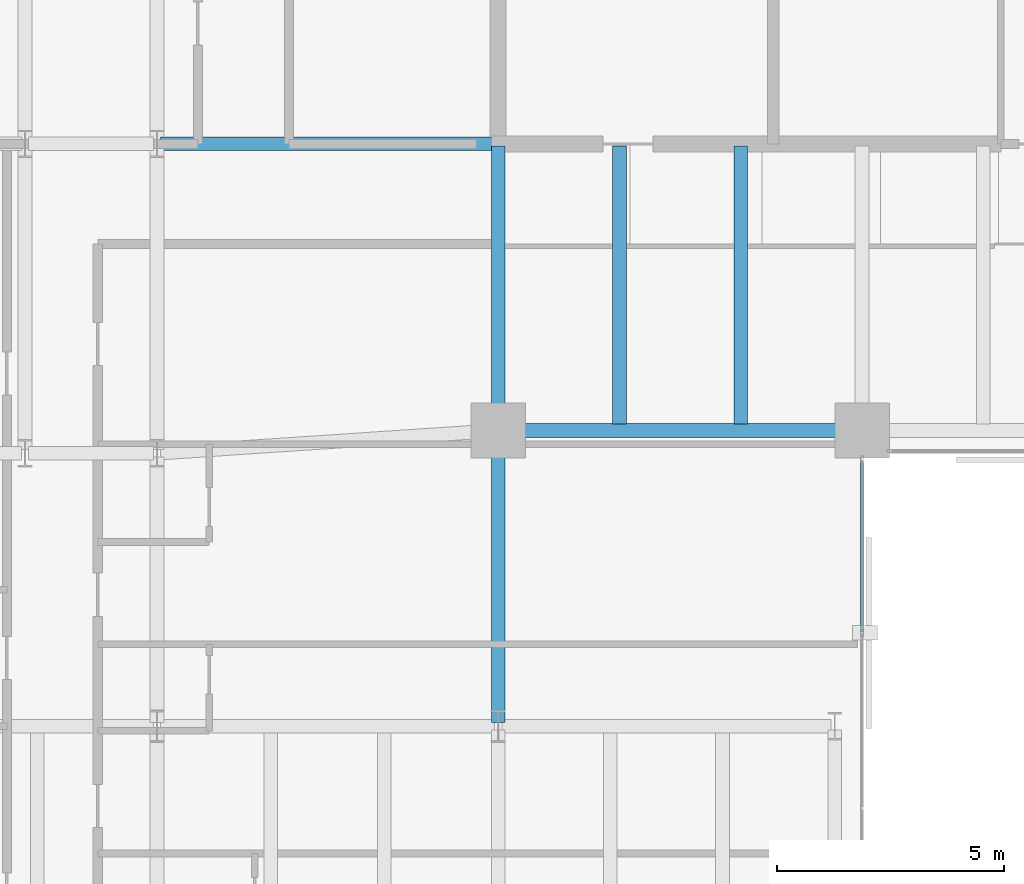
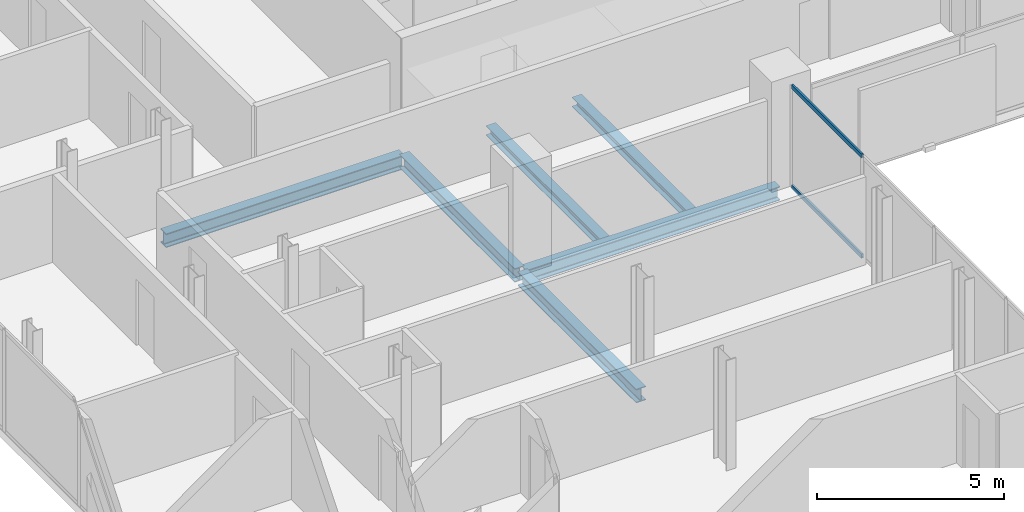
# One storey, part 12 of 32: 6 beams, 2 members, 1 element without a shape of its own.
"""IFC4 building model written with IfcOpenShell, lengths in metres."""

from ifc_helpers import new_model, si_unit, direction, frame, origin, origin_2d, place, context, subcontext, project, spatial, hollow_rectangle, i_section, extrude, material, layer, layer_set, material_profile, profile_set, type_object, element, aggregate, save


model = new_model("IFC4")

# Units and contexts
model_context = context("Model", 3, precision=1e-05, world=origin(), true_north=direction((0.0, 1.0)))
body_context = subcontext(model_context, "Body", "Model", "MODEL_VIEW")
ifc_project = project(units=[si_unit("LENGTHUNIT", "METRE"), si_unit("AREAUNIT", "SQUARE_METRE"), si_unit("VOLUMEUNIT", "CUBIC_METRE"), si_unit("PLANEANGLEUNIT", "RADIAN"), si_unit("MASSUNIT", "GRAM", prefix="KILO")], contexts=[model_context])

# Site, building, storey
site_placement = place(None, origin())
site = spatial("IfcSite", under=ifc_project, at=site_placement, CompositionType="ELEMENT")
building_placement = place(site_placement, origin())
building = spatial("IfcBuilding", under=site, at=building_placement, Name="Catumbela Crestline Tower", CompositionType="ELEMENT")
storey_placement = place(building_placement, frame((0.0, 0.0, 129.6)))
storey = spatial("IfcBuildingStorey", under=building, at=storey_placement, Name="L33", CompositionType="ELEMENT", Elevation=129.6)

# Beams
ifc_material_1 = material(Name="Structural steel S355J2", Category="steel")
ifc_material_profile_1 = material_profile(ifc_material_1, i_section(OverallWidth=0.3, OverallDepth=0.45, WebThickness=0.014, FlangeThickness=0.026, FilletRadius=0.027, at=origin_2d()), Name="HEB 450")
ifc_profile_set_1 = profile_set([ifc_material_profile_1], Name="Structural steel S355J2")
beam_type_1 = type_object("IfcBeamType", Name="BG-HEB450", PredefinedType="BEAM", material=ifc_profile_set_1)
beam_1_placement = place(storey_placement, frame((16.08, 24.5, -0.485), z_axis=(1.0, 0.0, 0.0), x_axis=(0.0, 1.0, 0.0)))
element("IfcBeam", 1, at=beam_1_placement, inside=storey, type_object=beam_type_1, Name="L33 Beam BM-L33-S04", PredefinedType="BEAM", context=body_context, shape_type="SweptSolid", body=[
    extrude(i_section(OverallWidth=0.3, OverallDepth=0.45, WebThickness=0.014, FlangeThickness=0.026, FilletRadius=0.027, at=origin_2d()), origin(), (0.0, 0.0, 1.0), 7.84),
])
beam_2_placement = place(storey_placement, frame((8.58, 30.8, -0.485), z_axis=(1.0, 0.0, 0.0), x_axis=(0.0, 1.0, 0.0)))
element("IfcBeam", 2, at=beam_2_placement, inside=storey, type_object=beam_type_1, Name="L33 Beam BM-L33-M09", PredefinedType="BEAM", context=body_context, shape_type="SweptSolid", body=[
    extrude(i_section(OverallWidth=0.3, OverallDepth=0.45, WebThickness=0.014, FlangeThickness=0.026, FilletRadius=0.027, at=origin_2d()), origin(), (0.0, 0.0, 1.0), 7.37),
])
beam_3_placement = place(storey_placement, frame((16.0, 24.58, -0.485), z_axis=(0.0, 1.0, 0.0), x_axis=(-1.0, 0.0, 0.0)))
element("IfcBeam", 3, at=beam_3_placement, inside=storey, type_object=beam_type_1, Name="L33 Beam BM-L33-SNS28", PredefinedType="BEAM", context=body_context, shape_type="SweptSolid", body=[
    extrude(i_section(OverallWidth=0.3, OverallDepth=0.45, WebThickness=0.014, FlangeThickness=0.026, FilletRadius=0.027, at=origin_2d()), origin(), (0.0, 0.0, 1.0), 6.17),
])
beam_4_placement = place(storey_placement, frame((16.0, 18.08, -0.485), z_axis=(0.0, 1.0, 0.0), x_axis=(-1.0, 0.0, 0.0)))
element("IfcBeam", 4, at=beam_4_placement, inside=storey, type_object=beam_type_1, Name="L33 Beam BM-L33-WNS60", PredefinedType="BEAM", context=body_context, shape_type="SweptSolid", body=[
    extrude(i_section(OverallWidth=0.3, OverallDepth=0.45, WebThickness=0.014, FlangeThickness=0.026, FilletRadius=0.027, at=origin_2d()), origin(), (0.0, 0.0, 1.0), 6.34),
])
ifc_material_profile_2 = material_profile(ifc_material_1, i_section(OverallWidth=0.3, OverallDepth=0.31, WebThickness=0.009, FlangeThickness=0.0155, FilletRadius=0.027, at=origin_2d()), Name="HEA 320")
ifc_profile_set_2 = profile_set([ifc_material_profile_2], Name="Structural steel S355J2")
beam_type_2 = type_object("IfcBeamType", Name="BJ-HEA320", PredefinedType="JOIST", material=ifc_profile_set_2)
for number, where, z_axis, x_axis, name in (
    (5, (18.667, 24.647, -0.415), (0.0, 1.0, 0.0), (-1.0, 0.0, 0.0), "L33 Joist JS-L33-SP37"),
    (6, (21.333, 24.647, -0.415), (0.0, 1.0, 0.0), (-1.0, 0.0, 0.0), "L33 Joist JS-L33-SP38"),
):
    element("IfcBeam", number, at=place(storey_placement, frame(where, z_axis=z_axis, x_axis=x_axis)), inside=storey, type_object=beam_type_2, Name=name, PredefinedType="JOIST", context=body_context, shape_type="SweptSolid", body=[
        extrude(i_section(OverallWidth=0.3, OverallDepth=0.31, WebThickness=0.009, FlangeThickness=0.0155, FilletRadius=0.027, at=origin_2d()), origin(), (0.0, 0.0, 1.0), 6.103),
    ])

# Curtain wall, members
ifc_material_2 = material(Name="Aluminium alloy AW-6060-T66", Category="aluminium")
ifc_layer = layer(ifc_material_2, 0.18, Name="Aluminium alloy AW-6060-T66")
ifc_layer_set = layer_set([ifc_layer], Name="Aluminium alloy AW-6060-T66")
curtain_wall_type = type_object("IfcCurtainWallType", Name="CWU-Z2", PredefinedType="USERDEFINED", material=ifc_layer_set)
curtain_wall_placement = place(storey_placement, origin())
curtain_wall = element("IfcCurtainWall", 7, at=curtain_wall_placement, inside=storey, type_object=curtain_wall_type, Name="L33 Unitised Curtain Wall CW-L33-E2S1", ObjectType="UNITISED", PredefinedType="USERDEFINED")
ifc_material_profile_3 = material_profile(ifc_material_2, hollow_rectangle(XDim=0.06, YDim=0.14, WallThickness=0.004, at=origin_2d()), Name="ALU 140x60x4")
ifc_profile_set_3 = profile_set([ifc_material_profile_3], Name="Aluminium alloy AW-6060-T66")
member_type = type_object("IfcMemberType", Name="TRN-140X60", PredefinedType="USERDEFINED", material=ifc_profile_set_3)
member_1_placement = place(storey_placement, frame((24.0, 20.0825, 0.03), z_axis=(0.0, 1.0, 0.0), x_axis=(-1.0, 0.0, 0.0)))
member_1 = element("IfcMember", 8, at=member_1_placement, type_object=member_type, Name="CWU-Z2 transom 4.1", ObjectType="TRANSOM", PredefinedType="USERDEFINED", context=body_context, shape_type="SweptSolid", body=[
    extrude(hollow_rectangle(XDim=0.06, YDim=0.14, WallThickness=0.004, at=origin_2d()), origin(), (0.0, 0.0, 1.0), 3.7525),
])
member_2_placement = place(storey_placement, frame((24.0, 20.0825, 3.3), z_axis=(0.0, 1.0, 0.0), x_axis=(-1.0, 0.0, 0.0)))
member_2 = element("IfcMember", 9, at=member_2_placement, type_object=member_type, Name="CWU-Z2 transom 4.2", ObjectType="TRANSOM", PredefinedType="USERDEFINED", context=body_context, shape_type="SweptSolid", body=[
    extrude(hollow_rectangle(XDim=0.06, YDim=0.14, WallThickness=0.004, at=origin_2d()), origin(), (0.0, 0.0, 1.0), 3.7525),
])
aggregate(curtain_wall, [member_1, member_2])

save(model, "model.ifc")
